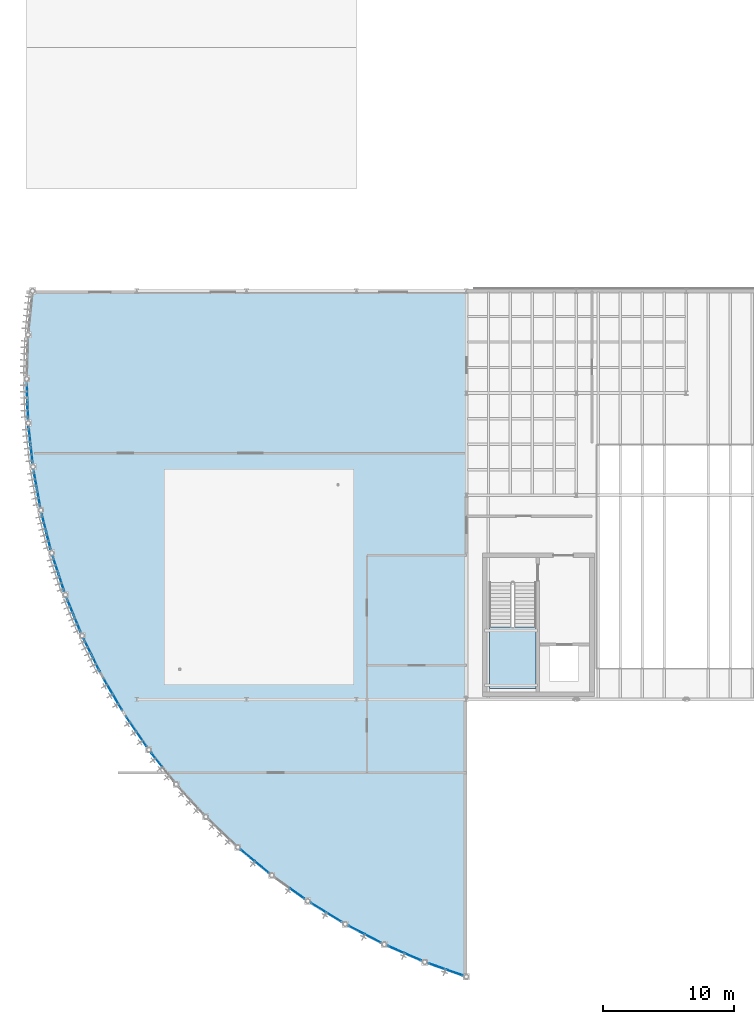
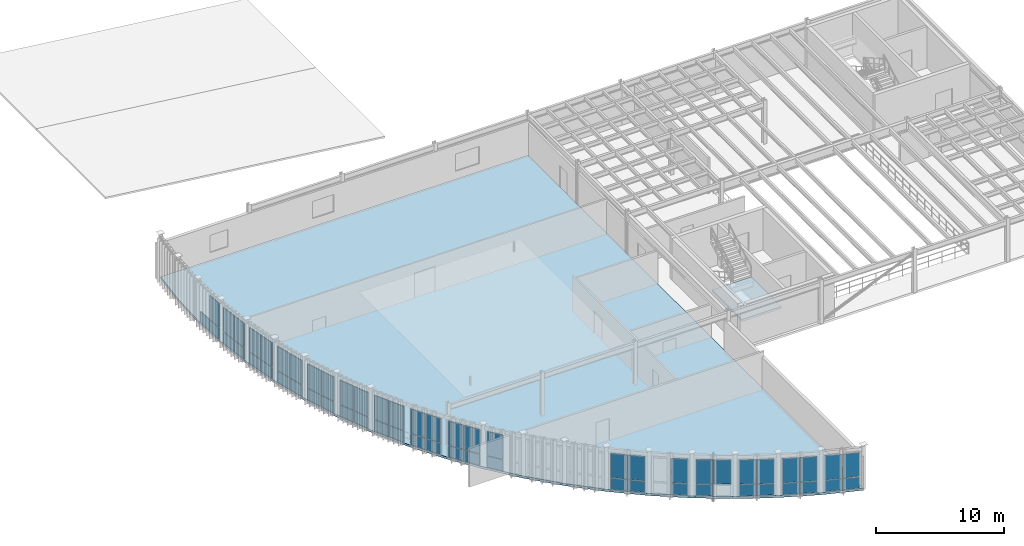
# One storey, part 16 of 26: 58 plates, 2 slabs, 17 elements without a shape of their own.
"""IFC4 building model written with IfcOpenShell, lengths in metres."""

from ifc_helpers import new_model, si_unit, direction, frame, origin, origin_2d, place, context, subcontext, project, spatial, polyline, rectangle, outline, extrude, material, layer, layer_set, type_object, element, aggregate, save


model = new_model("IFC4")

# Units and contexts
model_context = context("Model", 3, precision=1e-05, world=origin(), true_north=direction((0.0, 1.0)))
body_context = subcontext(model_context, "Body", "Model", "MODEL_VIEW")
ifc_project = project(units=[si_unit("LENGTHUNIT", "METRE"), si_unit("AREAUNIT", "SQUARE_METRE"), si_unit("VOLUMEUNIT", "CUBIC_METRE"), si_unit("PLANEANGLEUNIT", "RADIAN"), si_unit("MASSUNIT", "GRAM", prefix="KILO")], contexts=[model_context])

# Site, building, storey
site_placement = place(None, origin())
site = spatial("IfcSite", under=ifc_project, at=site_placement, CompositionType="ELEMENT")
building_placement = place(site_placement, origin())
building = spatial("IfcBuilding", under=site, at=building_placement, Name="Selat Folded Stagehouse", CompositionType="ELEMENT")
storey_placement = place(building_placement, frame((0.0, 0.0, 23.39990234375)))
storey = spatial("IfcBuildingStorey", under=building, at=storey_placement, Name="L05", CompositionType="ELEMENT", Elevation=23.39990234375)

# Curtain wall, plates
ifc_material_1 = material(Name="Aluminium 6063-T6", Category="aluminium")
ifc_layer_1 = layer(ifc_material_1, 0.18505859375)
ifc_layer_set_1 = layer_set([ifc_layer_1], Name="Aluminium 6063-T6")
curtain_wall_type = type_object("IfcCurtainWallType", Name="CW-DRM-UPPER", PredefinedType="NOTDEFINED", material=ifc_layer_set_1)
curtain_wall_1_placement = place(storey_placement, origin())
curtain_wall_1 = element("IfcCurtainWall", 1, at=curtain_wall_1_placement, inside=storey, type_object=curtain_wall_type, Name="L05 curtain wall CW-DRM-L05-02", PredefinedType="NOTDEFINED")
ifc_material_2 = material(Name="Acoustic laminated double glazing", Category="glass")
ifc_layer_2 = layer(ifc_material_2, 0.035888671875)
ifc_layer_set_2 = layer_set([ifc_layer_2], Name="Acoustic laminated double glazing")
plate_type = type_object("IfcPlateType", Name="CWP-GLZ-DGU36", PredefinedType="CURTAIN_PANEL", material=ifc_layer_set_2)
plate_1_placement = place(storey_placement, frame((0.08984375, 45.497802734375, 0.06494140625), z_axis=(0.0, 0.0, 1.0), x_axis=(-0.037573727908, 0.999293858167, 0.0)))
plate_1 = element("IfcPlate", 2, at=plate_1_placement, type_object=plate_type, Name="CW-03 panel 1.1", PredefinedType="CURTAIN_PANEL", context=body_context, shape_type="SweptSolid", body=[
    extrude(rectangle(XDim=1.3369140625, YDim=0.035888671875, at=origin_2d()), origin(), (0.0, 0.0, 1.0), 1.052490234375),
])
plate_2_placement = place(storey_placement, frame((0.08984375, 45.497802734375, 1.1826171875), z_axis=(0.0, 0.0, 1.0), x_axis=(-0.037573727908, 0.999293858167, 0.0)))
plate_2 = element("IfcPlate", 3, at=plate_2_placement, type_object=plate_type, Name="CW-03 panel 1.2", PredefinedType="CURTAIN_PANEL", context=body_context, shape_type="SweptSolid", body=[
    extrude(rectangle(XDim=1.3369140625, YDim=0.035888671875, at=origin_2d()), origin(), (0.0, 0.0, 1.0), 2.28759765625),
])
plate_3_placement = place(storey_placement, frame((0.037109375, 46.89892578125, 0.06494140625), z_axis=(0.0, 0.0, 1.0), x_axis=(-0.037573727908, 0.999293858167, 0.0)))
plate_3 = element("IfcPlate", 4, at=plate_3_placement, type_object=plate_type, Name="CW-03 panel 2.1", PredefinedType="CURTAIN_PANEL", context=body_context, shape_type="SweptSolid", body=[
    extrude(rectangle(XDim=1.3369140625, YDim=0.035888671875, at=origin_2d()), origin(), (0.0, 0.0, 1.0), 1.052490234375),
])
aggregate(curtain_wall_1, [plate_1, plate_2, plate_3])

curtain_wall_2_placement = place(storey_placement, origin())
curtain_wall_2 = element("IfcCurtainWall", 5, at=curtain_wall_2_placement, inside=storey, type_object=curtain_wall_type, Name="L05 curtain wall CW-DRM-L05-03", PredefinedType="NOTDEFINED")
plate_4_placement = place(storey_placement, frame((0.38330078125, 42.143310546875, 0.06494140625), z_axis=(0.0, 0.0, 1.0), x_axis=(-0.107558193428, 0.994198790497, 0.0)))
plate_4 = element("IfcPlate", 6, at=plate_4_placement, type_object=plate_type, Name="CW-03 panel 1.1", PredefinedType="CURTAIN_PANEL", context=body_context, shape_type="SweptSolid", body=[
    extrude(rectangle(XDim=1.337158203125, YDim=0.035888671875, at=origin_2d()), origin(), (0.0, 0.0, 1.0), 1.052490234375),
])
plate_5_placement = place(storey_placement, frame((0.38330078125, 42.143310546875, 1.1826171875), z_axis=(0.0, 0.0, 1.0), x_axis=(-0.107558193428, 0.994198790497, 0.0)))
plate_5 = element("IfcPlate", 7, at=plate_5_placement, type_object=plate_type, Name="CW-03 panel 1.2", PredefinedType="CURTAIN_PANEL", context=body_context, shape_type="SweptSolid", body=[
    extrude(rectangle(XDim=1.337158203125, YDim=0.035888671875, at=origin_2d()), origin(), (0.0, 0.0, 1.0), 2.28759765625),
])
plate_6_placement = place(storey_placement, frame((0.232421875, 43.537109375, 0.06494140625), z_axis=(0.0, 0.0, 1.0), x_axis=(-0.107558193428, 0.994198790497, 0.0)))
plate_6 = element("IfcPlate", 8, at=plate_6_placement, type_object=plate_type, Name="CW-03 panel 2.1", PredefinedType="CURTAIN_PANEL", context=body_context, shape_type="SweptSolid", body=[
    extrude(rectangle(XDim=1.337158203125, YDim=0.035888671875, at=origin_2d()), origin(), (0.0, 0.0, 1.0), 1.052490234375),
])
plate_7_placement = place(storey_placement, frame((0.232421875, 43.537109375, 1.1826171875), z_axis=(0.0, 0.0, 1.0), x_axis=(-0.107558193428, 0.994198790497, 0.0)))
plate_7 = element("IfcPlate", 9, at=plate_7_placement, type_object=plate_type, Name="CW-03 panel 2.2", PredefinedType="CURTAIN_PANEL", context=body_context, shape_type="SweptSolid", body=[
    extrude(rectangle(XDim=1.337158203125, YDim=0.035888671875, at=origin_2d()), origin(), (0.0, 0.0, 1.0), 2.28759765625),
])
aggregate(curtain_wall_2, [plate_4, plate_5, plate_6, plate_7])

curtain_wall_3_placement = place(storey_placement, origin())
curtain_wall_3 = element("IfcCurtainWall", 10, at=curtain_wall_3_placement, inside=storey, type_object=curtain_wall_type, Name="L05 curtain wall CW-DRM-L05-04", PredefinedType="NOTDEFINED")
plate_8_placement = place(storey_placement, frame((0.911376953125, 38.817626953125, 0.06494140625), z_axis=(0.0, 0.0, 1.0), x_axis=(-0.177001739435, 0.984210538572, 0.0)))
plate_8 = element("IfcPlate", 11, at=plate_8_placement, type_object=plate_type, Name="CW-03 panel 1.1", PredefinedType="CURTAIN_PANEL", context=body_context, shape_type="SweptSolid", body=[
    extrude(rectangle(XDim=1.3369140625, YDim=0.035888671875, at=origin_2d()), origin(), (0.0, 0.0, 1.0), 1.052490234375),
])
plate_9_placement = place(storey_placement, frame((0.911376953125, 38.817626953125, 1.1826171875), z_axis=(0.0, 0.0, 1.0), x_axis=(-0.177001739435, 0.984210538572, 0.0)))
plate_9 = element("IfcPlate", 12, at=plate_9_placement, type_object=plate_type, Name="CW-03 panel 1.2", PredefinedType="CURTAIN_PANEL", context=body_context, shape_type="SweptSolid", body=[
    extrude(rectangle(XDim=1.3369140625, YDim=0.035888671875, at=origin_2d()), origin(), (0.0, 0.0, 1.0), 2.28759765625),
])
plate_10_placement = place(storey_placement, frame((0.663330078125, 40.197509765625, 0.06494140625), z_axis=(0.0, 0.0, 1.0), x_axis=(-0.177001739435, 0.984210538572, 0.0)))
plate_10 = element("IfcPlate", 13, at=plate_10_placement, type_object=plate_type, Name="CW-03 panel 2.1", PredefinedType="CURTAIN_PANEL", context=body_context, shape_type="SweptSolid", body=[
    extrude(rectangle(XDim=1.3369140625, YDim=0.035888671875, at=origin_2d()), origin(), (0.0, 0.0, 1.0), 1.052490234375),
])
plate_11_placement = place(storey_placement, frame((0.663330078125, 40.197509765625, 1.1826171875), z_axis=(0.0, 0.0, 1.0), x_axis=(-0.177001739435, 0.984210538572, 0.0)))
plate_11 = element("IfcPlate", 14, at=plate_11_placement, type_object=plate_type, Name="CW-03 panel 2.2", PredefinedType="CURTAIN_PANEL", context=body_context, shape_type="SweptSolid", body=[
    extrude(rectangle(XDim=1.3369140625, YDim=0.035888671875, at=origin_2d()), origin(), (0.0, 0.0, 1.0), 2.28759765625),
])
aggregate(curtain_wall_3, [plate_8, plate_9, plate_10, plate_11])

curtain_wall_4_placement = place(storey_placement, origin())
curtain_wall_4 = element("IfcCurtainWall", 15, at=curtain_wall_4_placement, inside=storey, type_object=curtain_wall_type, Name="L05 curtain wall CW-DRM-L05-05", PredefinedType="NOTDEFINED")
plate_12_placement = place(storey_placement, frame((1.67138671875, 35.537353515625, 0.06494140625), z_axis=(0.0, 0.0, 1.0), x_axis=(-0.24561797686, 0.969366705351, 0.0)))
plate_12 = element("IfcPlate", 16, at=plate_12_placement, type_object=plate_type, Name="CW-03 panel 1.1", PredefinedType="CURTAIN_PANEL", context=body_context, shape_type="SweptSolid", body=[
    extrude(rectangle(XDim=1.337158203125, YDim=0.035888671875, at=origin_2d()), origin(), (0.0, 0.0, 1.0), 1.052490234375),
])
plate_13_placement = place(storey_placement, frame((1.67138671875, 35.537353515625, 1.1826171875), z_axis=(0.0, 0.0, 1.0), x_axis=(-0.24561797686, 0.969366705351, 0.0)))
plate_13 = element("IfcPlate", 17, at=plate_13_placement, type_object=plate_type, Name="CW-03 panel 1.2", PredefinedType="CURTAIN_PANEL", context=body_context, shape_type="SweptSolid", body=[
    extrude(rectangle(XDim=1.337158203125, YDim=0.035888671875, at=origin_2d()), origin(), (0.0, 0.0, 1.0), 2.28759765625),
])
plate_14_placement = place(storey_placement, frame((1.3271484375, 36.896240234375, 0.06494140625), z_axis=(0.0, 0.0, 1.0), x_axis=(-0.24561797686, 0.969366705351, 0.0)))
plate_14 = element("IfcPlate", 18, at=plate_14_placement, type_object=plate_type, Name="CW-03 panel 2.1", PredefinedType="CURTAIN_PANEL", context=body_context, shape_type="SweptSolid", body=[
    extrude(rectangle(XDim=1.337158203125, YDim=0.035888671875, at=origin_2d()), origin(), (0.0, 0.0, 1.0), 1.052490234375),
])
plate_15_placement = place(storey_placement, frame((1.3271484375, 36.896240234375, 1.1826171875), z_axis=(0.0, 0.0, 1.0), x_axis=(-0.24561797686, 0.969366705351, 0.0)))
plate_15 = element("IfcPlate", 19, at=plate_15_placement, type_object=plate_type, Name="CW-03 panel 2.2", PredefinedType="CURTAIN_PANEL", context=body_context, shape_type="SweptSolid", body=[
    extrude(rectangle(XDim=1.337158203125, YDim=0.035888671875, at=origin_2d()), origin(), (0.0, 0.0, 1.0), 2.28759765625),
])
aggregate(curtain_wall_4, [plate_12, plate_13, plate_14, plate_15])

curtain_wall_5_placement = place(storey_placement, origin())
curtain_wall_5 = element("IfcCurtainWall", 20, at=curtain_wall_5_placement, inside=storey, type_object=curtain_wall_type, Name="L05 curtain wall CW-DRM-L05-06", PredefinedType="NOTDEFINED")
plate_16_placement = place(storey_placement, frame((2.65966796875, 32.318359375, 0.06494140625), z_axis=(0.0, 0.0, 1.0), x_axis=(-0.312994904395, 0.949754805107, 0.0)))
plate_16 = element("IfcPlate", 21, at=plate_16_placement, type_object=plate_type, Name="CW-03 panel 1.1", PredefinedType="CURTAIN_PANEL", context=body_context, shape_type="SweptSolid", body=[
    extrude(rectangle(XDim=1.3369140625, YDim=0.035888671875, at=origin_2d()), origin(), (0.0, 0.0, 1.0), 1.052490234375),
])
plate_17_placement = place(storey_placement, frame((2.65966796875, 32.318359375, 1.1826171875), z_axis=(0.0, 0.0, 1.0), x_axis=(-0.312994904395, 0.949754805107, 0.0)))
plate_17 = element("IfcPlate", 22, at=plate_17_placement, type_object=plate_type, Name="CW-03 panel 1.2", PredefinedType="CURTAIN_PANEL", context=body_context, shape_type="SweptSolid", body=[
    extrude(rectangle(XDim=1.3369140625, YDim=0.035888671875, at=origin_2d()), origin(), (0.0, 0.0, 1.0), 2.28759765625),
])
plate_18_placement = place(storey_placement, frame((2.220947265625, 33.64990234375, 0.06494140625), z_axis=(0.0, 0.0, 1.0), x_axis=(-0.312994904395, 0.949754805107, 0.0)))
plate_18 = element("IfcPlate", 23, at=plate_18_placement, type_object=plate_type, Name="CW-03 panel 2.1", PredefinedType="CURTAIN_PANEL", context=body_context, shape_type="SweptSolid", body=[
    extrude(rectangle(XDim=1.3369140625, YDim=0.035888671875, at=origin_2d()), origin(), (0.0, 0.0, 1.0), 1.052490234375),
])
plate_19_placement = place(storey_placement, frame((2.220947265625, 33.64990234375, 1.1826171875), z_axis=(0.0, 0.0, 1.0), x_axis=(-0.312994904395, 0.949754805107, 0.0)))
plate_19 = element("IfcPlate", 24, at=plate_19_placement, type_object=plate_type, Name="CW-03 panel 2.2", PredefinedType="CURTAIN_PANEL", context=body_context, shape_type="SweptSolid", body=[
    extrude(rectangle(XDim=1.3369140625, YDim=0.035888671875, at=origin_2d()), origin(), (0.0, 0.0, 1.0), 2.28759765625),
])
aggregate(curtain_wall_5, [plate_16, plate_17, plate_18, plate_19])

curtain_wall_6_placement = place(storey_placement, origin())
curtain_wall_6 = element("IfcCurtainWall", 25, at=curtain_wall_6_placement, inside=storey, type_object=curtain_wall_type, Name="L05 curtain wall CW-DRM-L05-07", PredefinedType="NOTDEFINED")
plate_20_placement = place(storey_placement, frame((3.871337890625, 29.176513671875, 0.06494140625), z_axis=(0.0, 0.0, 1.0), x_axis=(-0.378890707813, 0.925441425231, 0.0)))
plate_20 = element("IfcPlate", 26, at=plate_20_placement, type_object=plate_type, Name="CW-03 panel 1.1", PredefinedType="CURTAIN_PANEL", context=body_context, shape_type="SweptSolid", body=[
    extrude(rectangle(XDim=1.3369140625, YDim=0.035888671875, at=origin_2d()), origin(), (0.0, 0.0, 1.0), 1.052490234375),
])
plate_21_placement = place(storey_placement, frame((3.871337890625, 29.176513671875, 1.1826171875), z_axis=(0.0, 0.0, 1.0), x_axis=(-0.378890707813, 0.925441425231, 0.0)))
plate_21 = element("IfcPlate", 27, at=plate_21_placement, type_object=plate_type, Name="CW-03 panel 1.2", PredefinedType="CURTAIN_PANEL", context=body_context, shape_type="SweptSolid", body=[
    extrude(rectangle(XDim=1.3369140625, YDim=0.035888671875, at=origin_2d()), origin(), (0.0, 0.0, 1.0), 2.28759765625),
])
plate_22_placement = place(storey_placement, frame((3.340087890625, 30.47412109375, 0.06494140625), z_axis=(0.0, 0.0, 1.0), x_axis=(-0.378890707813, 0.925441425231, 0.0)))
plate_22 = element("IfcPlate", 28, at=plate_22_placement, type_object=plate_type, Name="CW-03 panel 2.1", PredefinedType="CURTAIN_PANEL", context=body_context, shape_type="SweptSolid", body=[
    extrude(rectangle(XDim=1.3369140625, YDim=0.035888671875, at=origin_2d()), origin(), (0.0, 0.0, 1.0), 1.052490234375),
])
plate_23_placement = place(storey_placement, frame((3.340087890625, 30.47412109375, 1.1826171875), z_axis=(0.0, 0.0, 1.0), x_axis=(-0.378890707813, 0.925441425231, 0.0)))
plate_23 = element("IfcPlate", 29, at=plate_23_placement, type_object=plate_type, Name="CW-03 panel 2.2", PredefinedType="CURTAIN_PANEL", context=body_context, shape_type="SweptSolid", body=[
    extrude(rectangle(XDim=1.3369140625, YDim=0.035888671875, at=origin_2d()), origin(), (0.0, 0.0, 1.0), 2.28759765625),
])
aggregate(curtain_wall_6, [plate_20, plate_21, plate_22, plate_23])

curtain_wall_7_placement = place(storey_placement, origin())
curtain_wall_7 = element("IfcCurtainWall", 30, at=curtain_wall_7_placement, inside=storey, type_object=curtain_wall_type, Name="L05 curtain wall CW-DRM-L05-08", PredefinedType="NOTDEFINED")
plate_24_placement = place(storey_placement, frame((5.300537109375, 26.12744140625, 0.06494140625), z_axis=(0.0, 0.0, 1.0), x_axis=(-0.442844653705, 0.896598356392, 0.0)))
plate_24 = element("IfcPlate", 31, at=plate_24_placement, type_object=plate_type, Name="CW-03 panel 1.1", PredefinedType="CURTAIN_PANEL", context=body_context, shape_type="SweptSolid", body=[
    extrude(rectangle(XDim=1.337158203125, YDim=0.035888671875, at=origin_2d()), origin(), (0.0, 0.0, 1.0), 1.052490234375),
])
plate_25_placement = place(storey_placement, frame((5.300537109375, 26.12744140625, 1.1826171875), z_axis=(0.0, 0.0, 1.0), x_axis=(-0.442844653705, 0.896598356392, 0.0)))
plate_25 = element("IfcPlate", 32, at=plate_25_placement, type_object=plate_type, Name="CW-03 panel 1.2", PredefinedType="CURTAIN_PANEL", context=body_context, shape_type="SweptSolid", body=[
    extrude(rectangle(XDim=1.337158203125, YDim=0.035888671875, at=origin_2d()), origin(), (0.0, 0.0, 1.0), 2.28759765625),
])
plate_26_placement = place(storey_placement, frame((4.679443359375, 27.384521484375, 0.06494140625), z_axis=(0.0, 0.0, 1.0), x_axis=(-0.442844653705, 0.896598356392, 0.0)))
plate_26 = element("IfcPlate", 33, at=plate_26_placement, type_object=plate_type, Name="CW-03 panel 2.1", PredefinedType="CURTAIN_PANEL", context=body_context, shape_type="SweptSolid", body=[
    extrude(rectangle(XDim=1.337158203125, YDim=0.035888671875, at=origin_2d()), origin(), (0.0, 0.0, 1.0), 1.052490234375),
])
plate_27_placement = place(storey_placement, frame((4.679443359375, 27.384521484375, 1.1826171875), z_axis=(0.0, 0.0, 1.0), x_axis=(-0.442844653705, 0.896598356392, 0.0)))
plate_27 = element("IfcPlate", 34, at=plate_27_placement, type_object=plate_type, Name="CW-03 panel 2.2", PredefinedType="CURTAIN_PANEL", context=body_context, shape_type="SweptSolid", body=[
    extrude(rectangle(XDim=1.337158203125, YDim=0.035888671875, at=origin_2d()), origin(), (0.0, 0.0, 1.0), 2.28759765625),
])
aggregate(curtain_wall_7, [plate_24, plate_25, plate_26, plate_27])

curtain_wall_8_placement = place(storey_placement, origin())
curtain_wall_8 = element("IfcCurtainWall", 35, at=curtain_wall_8_placement, inside=storey, type_object=curtain_wall_type, Name="L05 curtain wall CW-DRM-L05-09", PredefinedType="NOTDEFINED")
plate_28_placement = place(storey_placement, frame((6.93994140625, 23.186279296875, 0.06494140625), z_axis=(0.0, 0.0, 1.0), x_axis=(-0.504635839764, 0.863332305214, 0.0)))
plate_28 = element("IfcPlate", 36, at=plate_28_placement, type_object=plate_type, Name="CW-03 panel 1.1", PredefinedType="CURTAIN_PANEL", context=body_context, shape_type="SweptSolid", body=[
    extrude(rectangle(XDim=1.3369140625, YDim=0.035888671875, at=origin_2d()), origin(), (0.0, 0.0, 1.0), 1.052490234375),
])
plate_29_placement = place(storey_placement, frame((6.93994140625, 23.186279296875, 1.1826171875), z_axis=(0.0, 0.0, 1.0), x_axis=(-0.504635839764, 0.863332305214, 0.0)))
plate_29 = element("IfcPlate", 37, at=plate_29_placement, type_object=plate_type, Name="CW-03 panel 1.2", PredefinedType="CURTAIN_PANEL", context=body_context, shape_type="SweptSolid", body=[
    extrude(rectangle(XDim=1.3369140625, YDim=0.035888671875, at=origin_2d()), origin(), (0.0, 0.0, 1.0), 2.28759765625),
])
plate_30_placement = place(storey_placement, frame((6.232421875, 24.396728515625, 0.06494140625), z_axis=(0.0, 0.0, 1.0), x_axis=(-0.504635839764, 0.863332305214, 0.0)))
plate_30 = element("IfcPlate", 38, at=plate_30_placement, type_object=plate_type, Name="CW-03 panel 2.1", PredefinedType="CURTAIN_PANEL", context=body_context, shape_type="SweptSolid", body=[
    extrude(rectangle(XDim=1.3369140625, YDim=0.035888671875, at=origin_2d()), origin(), (0.0, 0.0, 1.0), 1.052490234375),
])
plate_31_placement = place(storey_placement, frame((6.232421875, 24.396728515625, 1.1826171875), z_axis=(0.0, 0.0, 1.0), x_axis=(-0.504635839764, 0.863332305214, 0.0)))
plate_31 = element("IfcPlate", 39, at=plate_31_placement, type_object=plate_type, Name="CW-03 panel 2.2", PredefinedType="CURTAIN_PANEL", context=body_context, shape_type="SweptSolid", body=[
    extrude(rectangle(XDim=1.3369140625, YDim=0.035888671875, at=origin_2d()), origin(), (0.0, 0.0, 1.0), 2.28759765625),
])
aggregate(curtain_wall_8, [plate_28, plate_29, plate_30, plate_31])

curtain_wall_9_placement = place(storey_placement, origin())
curtain_wall_9 = element("IfcCurtainWall", 40, at=curtain_wall_9_placement, inside=storey, type_object=curtain_wall_type, Name="L05 curtain wall CW-DRM-L05-10", PredefinedType="NOTDEFINED")
plate_32_placement = place(storey_placement, frame((8.781494140625, 20.3671875, 0.06494140625), z_axis=(0.0, 0.0, 1.0), x_axis=(-0.563947732504, 0.825810483709, 0.0)))
plate_32 = element("IfcPlate", 41, at=plate_32_placement, type_object=plate_type, Name="CW-03 panel 1.1", PredefinedType="CURTAIN_PANEL", context=body_context, shape_type="SweptSolid", body=[
    extrude(rectangle(XDim=1.3369140625, YDim=0.035888671875, at=origin_2d()), origin(), (0.0, 0.0, 1.0), 1.052490234375),
])
plate_33_placement = place(storey_placement, frame((8.781494140625, 20.3671875, 1.1826171875), z_axis=(0.0, 0.0, 1.0), x_axis=(-0.563947732504, 0.825810483709, 0.0)))
plate_33 = element("IfcPlate", 42, at=plate_33_placement, type_object=plate_type, Name="CW-03 panel 1.2", PredefinedType="CURTAIN_PANEL", context=body_context, shape_type="SweptSolid", body=[
    extrude(rectangle(XDim=1.3369140625, YDim=0.035888671875, at=origin_2d()), origin(), (0.0, 0.0, 1.0), 2.28759765625),
])
plate_34_placement = place(storey_placement, frame((7.990966796875, 21.525146484375, 0.06494140625), z_axis=(0.0, 0.0, 1.0), x_axis=(-0.563947732504, 0.825810483709, 0.0)))
plate_34 = element("IfcPlate", 43, at=plate_34_placement, type_object=plate_type, Name="CW-03 panel 2.1", PredefinedType="CURTAIN_PANEL", context=body_context, shape_type="SweptSolid", body=[
    extrude(rectangle(XDim=1.3369140625, YDim=0.035888671875, at=origin_2d()), origin(), (0.0, 0.0, 1.0), 1.052490234375),
])
plate_35_placement = place(storey_placement, frame((7.990966796875, 21.525146484375, 1.1826171875), z_axis=(0.0, 0.0, 1.0), x_axis=(-0.563947732504, 0.825810483709, 0.0)))
plate_35 = element("IfcPlate", 44, at=plate_35_placement, type_object=plate_type, Name="CW-03 panel 2.2", PredefinedType="CURTAIN_PANEL", context=body_context, shape_type="SweptSolid", body=[
    extrude(rectangle(XDim=1.3369140625, YDim=0.035888671875, at=origin_2d()), origin(), (0.0, 0.0, 1.0), 2.28759765625),
])
aggregate(curtain_wall_9, [plate_32, plate_33, plate_34, plate_35])

curtain_wall_10_placement = place(storey_placement, origin())
curtain_wall_10 = element("IfcCurtainWall", 45, at=curtain_wall_10_placement, inside=storey, type_object=curtain_wall_type, Name="L05 curtain wall CW-DRM-L05-11", PredefinedType="NOTDEFINED")
plate_36_placement = place(storey_placement, frame((9.946533203125, 18.78369140625, 0.06494140625), z_axis=(0.0, 0.0, 1.0), x_axis=(-0.620533301992, 0.784180094825, 0.0)))
plate_36 = element("IfcPlate", 46, at=plate_36_placement, type_object=plate_type, Name="CW-03 panel 2.1", PredefinedType="CURTAIN_PANEL", context=body_context, shape_type="SweptSolid", body=[
    extrude(rectangle(XDim=1.3369140625, YDim=0.035888671875, at=origin_2d()), origin(), (0.0, 0.0, 1.0), 1.052490234375),
])
plate_37_placement = place(storey_placement, frame((9.946533203125, 18.78369140625, 1.1826171875), z_axis=(0.0, 0.0, 1.0), x_axis=(-0.620533301992, 0.784180094825, 0.0)))
plate_37 = element("IfcPlate", 47, at=plate_37_placement, type_object=plate_type, Name="CW-03 panel 2.2", PredefinedType="CURTAIN_PANEL", context=body_context, shape_type="SweptSolid", body=[
    extrude(rectangle(XDim=1.3369140625, YDim=0.035888671875, at=origin_2d()), origin(), (0.0, 0.0, 1.0), 2.28759765625),
])
aggregate(curtain_wall_10, [plate_36, plate_37])

curtain_wall_11_placement = place(storey_placement, origin())
curtain_wall_11 = element("IfcCurtainWall", 48, at=curtain_wall_11_placement, inside=storey, type_object=curtain_wall_type, Name="L05 curtain wall CW-DRM-L05-14", PredefinedType="NOTDEFINED")
plate_38_placement = place(storey_placement, frame((17.9755859375, 10.580810546875, 0.06494140625), z_axis=(0.0, 0.0, 1.0), x_axis=(-0.770746654899, 0.637141737734, 0.0)))
plate_38 = element("IfcPlate", 49, at=plate_38_placement, type_object=plate_type, Name="CW-03 panel 1.1", PredefinedType="CURTAIN_PANEL", context=body_context, shape_type="SweptSolid", body=[
    extrude(rectangle(XDim=1.3369140625, YDim=0.035888671875, at=origin_2d()), origin(), (0.0, 0.0, 1.0), 1.052490234375),
])
plate_39_placement = place(storey_placement, frame((17.9755859375, 10.580810546875, 1.1826171875), z_axis=(0.0, 0.0, 1.0), x_axis=(-0.770746654899, 0.637141737734, 0.0)))
plate_39 = element("IfcPlate", 50, at=plate_39_placement, type_object=plate_type, Name="CW-03 panel 1.2", PredefinedType="CURTAIN_PANEL", context=body_context, shape_type="SweptSolid", body=[
    extrude(rectangle(XDim=1.3369140625, YDim=0.035888671875, at=origin_2d()), origin(), (0.0, 0.0, 1.0), 2.28759765625),
])
plate_40_placement = place(storey_placement, frame((16.89501953125, 11.47412109375, 0.06494140625), z_axis=(0.0, 0.0, 1.0), x_axis=(-0.770746654899, 0.637141737734, 0.0)))
plate_40 = element("IfcPlate", 51, at=plate_40_placement, type_object=plate_type, Name="CW-03 panel 2.1", PredefinedType="CURTAIN_PANEL", context=body_context, shape_type="SweptSolid", body=[
    extrude(rectangle(XDim=1.3369140625, YDim=0.035888671875, at=origin_2d()), origin(), (0.0, 0.0, 1.0), 1.052490234375),
])
plate_41_placement = place(storey_placement, frame((16.89501953125, 11.47412109375, 1.1826171875), z_axis=(0.0, 0.0, 1.0), x_axis=(-0.770746654899, 0.637141737734, 0.0)))
plate_41 = element("IfcPlate", 52, at=plate_41_placement, type_object=plate_type, Name="CW-03 panel 2.2", PredefinedType="CURTAIN_PANEL", context=body_context, shape_type="SweptSolid", body=[
    extrude(rectangle(XDim=1.3369140625, YDim=0.035888671875, at=origin_2d()), origin(), (0.0, 0.0, 1.0), 2.28759765625),
])
aggregate(curtain_wall_11, [plate_38, plate_39, plate_40, plate_41])

curtain_wall_12_placement = place(storey_placement, origin())
curtain_wall_12 = element("IfcCurtainWall", 53, at=curtain_wall_12_placement, inside=storey, type_object=curtain_wall_type, Name="L05 curtain wall CW-DRM-L05-15", PredefinedType="NOTDEFINED")
plate_42_placement = place(storey_placement, frame((20.67431640625, 8.567138671875, 0.06494140625), z_axis=(0.0, 0.0, 1.0), x_axis=(-0.813526170861, 0.581528304836, 0.0)))
plate_42 = element("IfcPlate", 54, at=plate_42_placement, type_object=plate_type, Name="CW-03 panel 1.1", PredefinedType="CURTAIN_PANEL", context=body_context, shape_type="SweptSolid", body=[
    extrude(rectangle(XDim=1.3369140625, YDim=0.035888671875, at=origin_2d()), origin(), (0.0, 0.0, 1.0), 1.052490234375),
])
plate_43_placement = place(storey_placement, frame((20.67431640625, 8.567138671875, 1.1826171875), z_axis=(0.0, 0.0, 1.0), x_axis=(-0.813526170861, 0.581528304836, 0.0)))
plate_43 = element("IfcPlate", 55, at=plate_43_placement, type_object=plate_type, Name="CW-03 panel 1.2", PredefinedType="CURTAIN_PANEL", context=body_context, shape_type="SweptSolid", body=[
    extrude(rectangle(XDim=1.3369140625, YDim=0.035888671875, at=origin_2d()), origin(), (0.0, 0.0, 1.0), 2.28759765625),
])
aggregate(curtain_wall_12, [plate_42, plate_43])

curtain_wall_13_placement = place(storey_placement, origin())
curtain_wall_13 = element("IfcCurtainWall", 56, at=curtain_wall_13_placement, inside=storey, type_object=curtain_wall_type, Name="L05 curtain wall CW-DRM-L05-16", PredefinedType="NOTDEFINED")
plate_44_placement = place(storey_placement, frame((23.507568359375, 6.747314453125, 1.1826171875), z_axis=(0.0, 0.0, 1.0), x_axis=(-0.852317078277, 0.523025427755, 0.0)))
plate_44 = element("IfcPlate", 57, at=plate_44_placement, type_object=plate_type, Name="CW-03 panel 1.2", PredefinedType="CURTAIN_PANEL", context=body_context, shape_type="SweptSolid", body=[
    extrude(rectangle(XDim=1.3369140625, YDim=0.035888671875, at=origin_2d()), origin(), (0.0, 0.0, 1.0), 2.28759765625),
])
plate_45_placement = place(storey_placement, frame((22.312744140625, 7.480712890625, 0.06494140625), z_axis=(0.0, 0.0, 1.0), x_axis=(-0.852317078277, 0.523025427755, 0.0)))
plate_45 = element("IfcPlate", 58, at=plate_45_placement, type_object=plate_type, Name="CW-03 panel 2.1", PredefinedType="CURTAIN_PANEL", context=body_context, shape_type="SweptSolid", body=[
    extrude(rectangle(XDim=1.3369140625, YDim=0.035888671875, at=origin_2d()), origin(), (0.0, 0.0, 1.0), 1.052490234375),
])
plate_46_placement = place(storey_placement, frame((22.312744140625, 7.480712890625, 1.1826171875), z_axis=(0.0, 0.0, 1.0), x_axis=(-0.852317078277, 0.523025427755, 0.0)))
plate_46 = element("IfcPlate", 59, at=plate_46_placement, type_object=plate_type, Name="CW-03 panel 2.2", PredefinedType="CURTAIN_PANEL", context=body_context, shape_type="SweptSolid", body=[
    extrude(rectangle(XDim=1.3369140625, YDim=0.035888671875, at=origin_2d()), origin(), (0.0, 0.0, 1.0), 2.28759765625),
])
aggregate(curtain_wall_13, [plate_44, plate_45, plate_46])

curtain_wall_14_placement = place(storey_placement, origin())
curtain_wall_14 = element("IfcCurtainWall", 60, at=curtain_wall_14_placement, inside=storey, type_object=curtain_wall_type, Name="L05 curtain wall CW-DRM-L05-17", PredefinedType="NOTDEFINED")
plate_47_placement = place(storey_placement, frame((26.46142578125, 5.131103515625, 0.06494140625), z_axis=(0.0, 0.0, 1.0), x_axis=(-0.886915869147, 0.461930991659, 0.0)))
plate_47 = element("IfcPlate", 61, at=plate_47_placement, type_object=plate_type, Name="CW-03 panel 1.1", PredefinedType="CURTAIN_PANEL", context=body_context, shape_type="SweptSolid", body=[
    extrude(rectangle(XDim=1.3369140625, YDim=0.035888671875, at=origin_2d()), origin(), (0.0, 0.0, 1.0), 1.052490234375),
])
plate_48_placement = place(storey_placement, frame((26.46142578125, 5.131103515625, 1.1826171875), z_axis=(0.0, 0.0, 1.0), x_axis=(-0.886915869147, 0.461930991659, 0.0)))
plate_48 = element("IfcPlate", 62, at=plate_48_placement, type_object=plate_type, Name="CW-03 panel 1.2", PredefinedType="CURTAIN_PANEL", context=body_context, shape_type="SweptSolid", body=[
    extrude(rectangle(XDim=1.3369140625, YDim=0.035888671875, at=origin_2d()), origin(), (0.0, 0.0, 1.0), 2.28759765625),
])
plate_49_placement = place(storey_placement, frame((25.218017578125, 5.778564453125, 0.06494140625), z_axis=(0.0, 0.0, 1.0), x_axis=(-0.886915869147, 0.461930991659, 0.0)))
plate_49 = element("IfcPlate", 63, at=plate_49_placement, type_object=plate_type, Name="CW-03 panel 2.1", PredefinedType="CURTAIN_PANEL", context=body_context, shape_type="SweptSolid", body=[
    extrude(rectangle(XDim=1.3369140625, YDim=0.035888671875, at=origin_2d()), origin(), (0.0, 0.0, 1.0), 1.052490234375),
])
plate_50_placement = place(storey_placement, frame((25.218017578125, 5.778564453125, 1.1826171875), z_axis=(0.0, 0.0, 1.0), x_axis=(-0.886915869147, 0.461930991659, 0.0)))
plate_50 = element("IfcPlate", 64, at=plate_50_placement, type_object=plate_type, Name="CW-03 panel 2.2", PredefinedType="CURTAIN_PANEL", context=body_context, shape_type="SweptSolid", body=[
    extrude(rectangle(XDim=1.3369140625, YDim=0.035888671875, at=origin_2d()), origin(), (0.0, 0.0, 1.0), 2.28759765625),
])
aggregate(curtain_wall_14, [plate_47, plate_48, plate_49, plate_50])

curtain_wall_15_placement = place(storey_placement, origin())
curtain_wall_15 = element("IfcCurtainWall", 65, at=curtain_wall_15_placement, inside=storey, type_object=curtain_wall_type, Name="L05 curtain wall CW-DRM-L05-18", PredefinedType="NOTDEFINED")
plate_51_placement = place(storey_placement, frame((29.521484375, 3.725830078125, 0.06494140625), z_axis=(0.0, 0.0, 1.0), x_axis=(-0.917133771915, 0.39857953336, 0.0)))
plate_51 = element("IfcPlate", 66, at=plate_51_placement, type_object=plate_type, Name="CW-03 panel 1.1", PredefinedType="CURTAIN_PANEL", context=body_context, shape_type="SweptSolid", body=[
    extrude(rectangle(XDim=1.3369140625, YDim=0.035888671875, at=origin_2d()), origin(), (0.0, 0.0, 1.0), 1.052490234375),
])
plate_52_placement = place(storey_placement, frame((29.521484375, 3.725830078125, 1.1826171875), z_axis=(0.0, 0.0, 1.0), x_axis=(-0.917133771915, 0.39857953336, 0.0)))
plate_52 = element("IfcPlate", 67, at=plate_52_placement, type_object=plate_type, Name="CW-03 panel 1.2", PredefinedType="CURTAIN_PANEL", context=body_context, shape_type="SweptSolid", body=[
    extrude(rectangle(XDim=1.3369140625, YDim=0.035888671875, at=origin_2d()), origin(), (0.0, 0.0, 1.0), 2.28759765625),
])
plate_53_placement = place(storey_placement, frame((28.23583984375, 4.28466796875, 0.06494140625), z_axis=(0.0, 0.0, 1.0), x_axis=(-0.917133771915, 0.39857953336, 0.0)))
plate_53 = element("IfcPlate", 68, at=plate_53_placement, type_object=plate_type, Name="CW-03 panel 2.1", PredefinedType="CURTAIN_PANEL", context=body_context, shape_type="SweptSolid", body=[
    extrude(rectangle(XDim=1.3369140625, YDim=0.035888671875, at=origin_2d()), origin(), (0.0, 0.0, 1.0), 1.052490234375),
])
plate_54_placement = place(storey_placement, frame((28.23583984375, 4.28466796875, 1.1826171875), z_axis=(0.0, 0.0, 1.0), x_axis=(-0.917133771915, 0.39857953336, 0.0)))
plate_54 = element("IfcPlate", 69, at=plate_54_placement, type_object=plate_type, Name="CW-03 panel 2.2", PredefinedType="CURTAIN_PANEL", context=body_context, shape_type="SweptSolid", body=[
    extrude(rectangle(XDim=1.3369140625, YDim=0.035888671875, at=origin_2d()), origin(), (0.0, 0.0, 1.0), 2.28759765625),
])
aggregate(curtain_wall_15, [plate_51, plate_52, plate_53, plate_54])

curtain_wall_16_placement = place(storey_placement, origin())
curtain_wall_16 = element("IfcCurtainWall", 70, at=curtain_wall_16_placement, inside=storey, type_object=curtain_wall_type, Name="L05 curtain wall CW-DRM-L05-19", PredefinedType="NOTDEFINED")
plate_55_placement = place(storey_placement, frame((32.672607421875, 2.53857421875, 0.06494140625), z_axis=(0.0, 0.0, 1.0), x_axis=(-0.942815824106, 0.333314148838, 0.0)))
plate_55 = element("IfcPlate", 71, at=plate_55_placement, type_object=plate_type, Name="CW-03 panel 1.1", PredefinedType="CURTAIN_PANEL", context=body_context, shape_type="SweptSolid", body=[
    extrude(rectangle(XDim=1.3369140625, YDim=0.035888671875, at=origin_2d()), origin(), (0.0, 0.0, 1.0), 1.052490234375),
])
plate_56_placement = place(storey_placement, frame((32.672607421875, 2.53857421875, 1.1826171875), z_axis=(0.0, 0.0, 1.0), x_axis=(-0.942815824106, 0.333314148838, 0.0)))
plate_56 = element("IfcPlate", 72, at=plate_56_placement, type_object=plate_type, Name="CW-03 panel 1.2", PredefinedType="CURTAIN_PANEL", context=body_context, shape_type="SweptSolid", body=[
    extrude(rectangle(XDim=1.3369140625, YDim=0.035888671875, at=origin_2d()), origin(), (0.0, 0.0, 1.0), 2.28759765625),
])
plate_57_placement = place(storey_placement, frame((31.350830078125, 3.006103515625, 0.06494140625), z_axis=(0.0, 0.0, 1.0), x_axis=(-0.942815824106, 0.333314148838, 0.0)))
plate_57 = element("IfcPlate", 73, at=plate_57_placement, type_object=plate_type, Name="CW-03 panel 2.1", PredefinedType="CURTAIN_PANEL", context=body_context, shape_type="SweptSolid", body=[
    extrude(rectangle(XDim=1.3369140625, YDim=0.035888671875, at=origin_2d()), origin(), (0.0, 0.0, 1.0), 1.052490234375),
])
plate_58_placement = place(storey_placement, frame((31.350830078125, 3.006103515625, 1.1826171875), z_axis=(0.0, 0.0, 1.0), x_axis=(-0.942815824106, 0.333314148838, 0.0)))
plate_58 = element("IfcPlate", 74, at=plate_58_placement, type_object=plate_type, Name="CW-03 panel 2.2", PredefinedType="CURTAIN_PANEL", context=body_context, shape_type="SweptSolid", body=[
    extrude(rectangle(XDim=1.3369140625, YDim=0.035888671875, at=origin_2d()), origin(), (0.0, 0.0, 1.0), 2.28759765625),
])
aggregate(curtain_wall_16, [plate_55, plate_56, plate_57, plate_58])

# Slab
ifc_material_3 = material(Name="Concrete C40/50", Category="concrete")
ifc_layer_3 = layer(ifc_material_3, 0.199951171875)
ifc_layer_set_3 = layer_set([ifc_layer_3], Name="Concrete C40/50")
slab_type_1 = type_object("IfcSlabType", Name="SLAB-FLR-200", PredefinedType="FLOOR", material=ifc_layer_set_3)
slab_1_placement = place(storey_placement, frame((0.0, 0.0, -0.199951171875)))
element("IfcSlab", 75, at=slab_1_placement, inside=storey, type_object=slab_type_1, Name="L05 V1 floor slab SL-L05-V1", PredefinedType="FLOOR", context=body_context, shape_type="SweptSolid", body=[
    extrude(outline(polyline([(0.455810546875, 54.60009765625), (0.110107421875, 51.248779296875), (0.0, 47.881591796875), (0.126708984375, 44.514892578125), (0.489013671875, 41.16552734375), (1.08544921875, 37.849609375), (1.9130859375, 34.583984375), (2.967529296875, 31.38427734375), (4.243896484375, 28.266357421875), (5.736083984375, 25.24560546875), (7.436279296875, 22.337158203125), (9.336181640625, 19.55517578125), (11.4267578125, 16.9130859375), (13.697509765625, 14.42431640625), (16.136962890625, 12.100830078125), (18.733642578125, 9.954345703125), (21.474365234375, 7.9951171875), (24.345703125, 6.23291015625), (27.333740234375, 4.6767578125), (30.423583984375, 3.333740234375), (33.60009765625, 2.2109375), (33.60009765625, 54.60009765625), (0.455810546875, 54.60009765625)])), origin(), (0.0, 0.0, 1.0), 0.199951171875),
])

# Stair, slab
stair_type = type_object("IfcStairType", Name="STR-DOG-1700-26R", PredefinedType="HALF_TURN_STAIR", material=ifc_material_3)
stair_placement = place(storey_placement, origin())
stair = element("IfcStair", 76, at=stair_placement, inside=storey, type_object=stair_type, Name="L05 Core 1 South-West Fire Core", PredefinedType="HALF_TURN_STAIR")
ifc_layer_4 = layer(ifc_material_3, 0.199951171875)
ifc_layer_set_4 = layer_set([ifc_layer_4], Name="Concrete C40/50")
slab_type_2 = type_object("IfcSlabType", Name="SLAB-STR-LDG-200", PredefinedType="LANDING", material=ifc_layer_set_4)
slab_2_placement = place(storey_placement, frame((0.0, 0.0, 1.900146484375)))
slab_2 = element("IfcSlab", 77, at=slab_2_placement, type_object=slab_type_2, Name="ST-1700-26R landing 1", PredefinedType="LANDING", context=body_context, shape_type="SweptSolid", body=[
    extrude(outline(polyline([(35.360107421875, 28.919921875), (35.360107421875, 24.239990234375), (38.919921875, 24.239990234375), (38.919921875, 28.919921875), (35.360107421875, 28.919921875)])), origin(), (0.0, 0.0, 1.0), 0.199951171875),
])
aggregate(stair, [slab_2])

save(model, "model.ifc")
